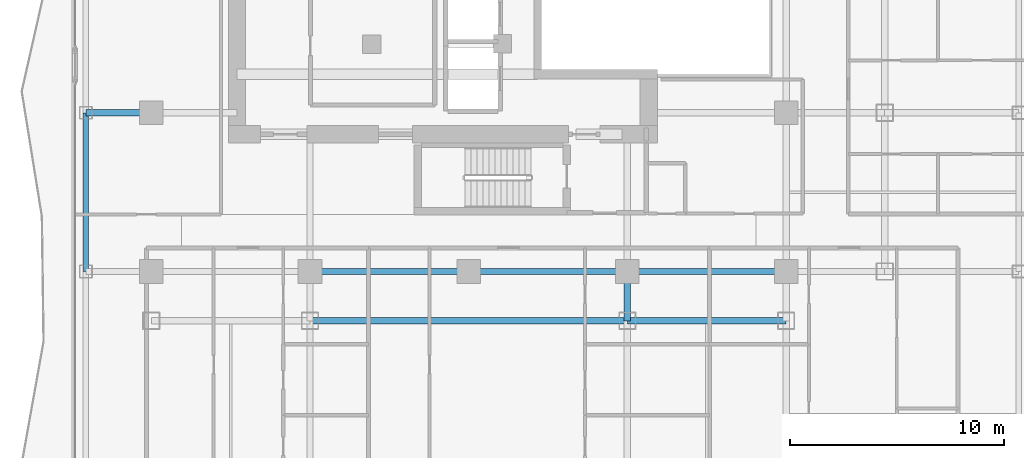
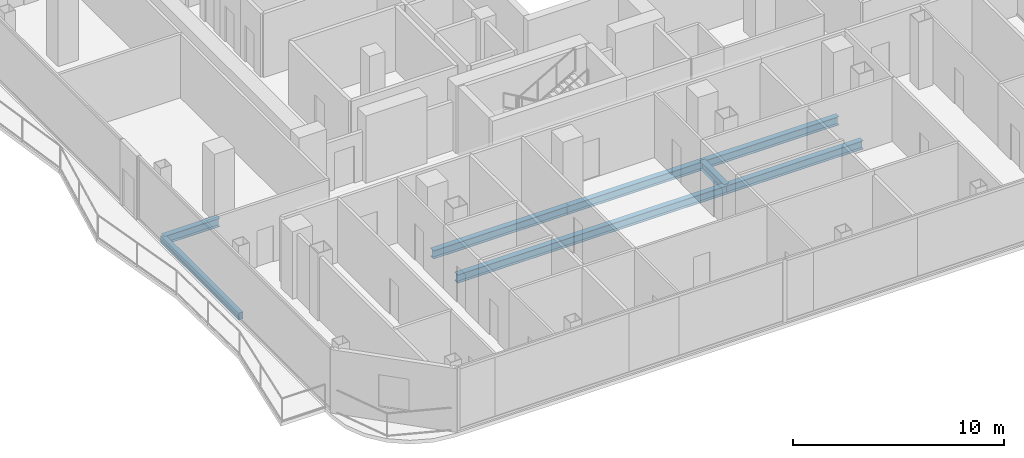
# One storey, part 5 of 27: 8 beams.
"""IFC4 building model written with IfcOpenShell, lengths in metres."""

from ifc_helpers import new_model, si_unit, direction, frame, origin, origin_2d, place, context, subcontext, project, spatial, hollow_rectangle, i_section, extrude, material, material_profile, profile_set, type_object, element, save


model = new_model("IFC4")

# Units and contexts
model_context = context("Model", 3, precision=1e-05, world=origin(), true_north=direction((0.0, 1.0)))
body_context = subcontext(model_context, "Body", "Model", "MODEL_VIEW")
ifc_project = project(units=[si_unit("LENGTHUNIT", "METRE"), si_unit("AREAUNIT", "SQUARE_METRE"), si_unit("VOLUMEUNIT", "CUBIC_METRE"), si_unit("PLANEANGLEUNIT", "RADIAN"), si_unit("MASSUNIT", "GRAM", prefix="KILO")], contexts=[model_context])

# Site, building, storey
site_placement = place(None, origin())
site = spatial("IfcSite", under=ifc_project, at=site_placement, CompositionType="ELEMENT")
building_placement = place(site_placement, origin())
building = spatial("IfcBuilding", under=site, at=building_placement, Name="Khorvyn Point Tower", CompositionType="ELEMENT")
storey_placement = place(building_placement, frame((0.0, 0.0, 227.39990234375)))
storey = spatial("IfcBuildingStorey", under=building, at=storey_placement, Name="L56", CompositionType="ELEMENT", Elevation=227.39990234375)

# Beams
ifc_material = material(Name="Steel S355", Category="steel")
ifc_material_profile_1 = material_profile(ifc_material, i_section(OverallWidth=0.300048828125, OverallDepth=0.488037109375, WebThickness=0.010986328125, FlangeThickness=0.01806640625, at=origin_2d()))
ifc_profile_set_1 = profile_set([ifc_material_profile_1], Name="Steel S355 H488x300x11x18")
beam_type_1 = type_object("IfcBeamType", Name="Steel S355 Spandrel H488x300x11x18", PredefinedType="SPANDREL", material=ifc_profile_set_1)
for number, where, z_axis, x_axis, name in (
    (1, (-7.39990234375, -14.800048828125, -0.4638671875), (1.0, 0.0, 0.0), (0.0, 1.0, 0.0), "Beam"),
    (2, (0.0, -14.800048828125, -0.4638671875), (1.0, 0.0, 0.0), (0.0, 1.0, 0.0), "Beam"),
):
    element("IfcBeam", number, at=place(storey_placement, frame(where, z_axis=z_axis, x_axis=x_axis)), inside=storey, type_object=beam_type_1, Name=name, PredefinedType="SPANDREL", context=body_context, shape_type="SweptSolid", body=[
        extrude(i_section(OverallWidth=0.300048828125, OverallDepth=0.488037109375, WebThickness=0.010986328125, FlangeThickness=0.01806640625, at=origin_2d()), origin(), (0.0, 0.0, 1.0), 7.39990234375),
    ])
beam_1_placement = place(storey_placement, frame((7.39990234375, -14.800048828125, -0.4638671875), z_axis=(1.0, 0.0, 0.0), x_axis=(0.0, 1.0, 0.0)))
element("IfcBeam", 3, at=beam_1_placement, inside=storey, type_object=beam_type_1, Name="Beam", PredefinedType="SPANDREL", context=body_context, shape_type="SweptSolid", body=[
    extrude(i_section(OverallWidth=0.300048828125, OverallDepth=0.488037109375, WebThickness=0.010986328125, FlangeThickness=0.01806640625, at=origin_2d()), origin(), (0.0, 0.0, 1.0), 7.400146484375),
])
beam_2_placement = place(storey_placement, frame((-17.85009765625, -7.39990234375, -0.4638671875), z_axis=(1.0, 0.0, 0.0), x_axis=(0.0, 1.0, 0.0)))
element("IfcBeam", 4, at=beam_2_placement, inside=storey, type_object=beam_type_1, Name="Beam", PredefinedType="SPANDREL", context=body_context, shape_type="SweptSolid", body=[
    extrude(i_section(OverallWidth=0.300048828125, OverallDepth=0.488037109375, WebThickness=0.010986328125, FlangeThickness=0.01806640625, at=origin_2d()), origin(), (0.0, 0.0, 1.0), 3.050048828125),
])
beam_3_placement = place(storey_placement, frame((-7.39990234375, -17.10009765625, -0.4638671875), z_axis=(1.0, 0.0, 0.0), x_axis=(0.0, 1.0, 0.0)))
element("IfcBeam", 5, at=beam_3_placement, inside=storey, type_object=beam_type_1, Name="Beam", PredefinedType="SPANDREL", context=body_context, shape_type="SweptSolid", body=[
    extrude(i_section(OverallWidth=0.300048828125, OverallDepth=0.488037109375, WebThickness=0.010986328125, FlangeThickness=0.01806640625, at=origin_2d()), origin(), (0.0, 0.0, 1.0), 14.7998046875),
])
beam_4_placement = place(storey_placement, frame((7.39990234375, -17.10009765625, -0.4638671875), z_axis=(1.0, 0.0, 0.0), x_axis=(0.0, 1.0, 0.0)))
element("IfcBeam", 6, at=beam_4_placement, inside=storey, type_object=beam_type_1, Name="Beam", PredefinedType="SPANDREL", context=body_context, shape_type="SweptSolid", body=[
    extrude(i_section(OverallWidth=0.300048828125, OverallDepth=0.488037109375, WebThickness=0.010986328125, FlangeThickness=0.01806640625, at=origin_2d()), origin(), (0.0, 0.0, 1.0), 7.400146484375),
])
beam_5_placement = place(storey_placement, frame((7.39990234375, -17.10009765625, -0.4638671875), z_axis=(0.0, 1.0, 0.0), x_axis=(-1.0, 0.0, 0.0)))
element("IfcBeam", 7, at=beam_5_placement, inside=storey, type_object=beam_type_1, Name="Beam", PredefinedType="SPANDREL", context=body_context, shape_type="SweptSolid", body=[
    extrude(i_section(OverallWidth=0.300048828125, OverallDepth=0.488037109375, WebThickness=0.010986328125, FlangeThickness=0.01806640625, at=origin_2d()), origin(), (0.0, 0.0, 1.0), 2.300048828125),
])
ifc_material_profile_2 = material_profile(ifc_material, hollow_rectangle(XDim=0.25, YDim=0.39990234375, WallThickness=0.01611328125, at=origin_2d()))
ifc_profile_set_2 = profile_set([ifc_material_profile_2], Name="Steel S355 RHS400x250x16")
beam_type_2 = type_object("IfcBeamType", Name="Steel S355 Spandrel RHS400x250x16", PredefinedType="SPANDREL", material=ifc_profile_set_2)
beam_6_placement = place(storey_placement, frame((-17.85009765625, -14.800048828125, -0.419921875), z_axis=(0.0, 1.0, 0.0), x_axis=(-1.0, 0.0, 0.0)))
element("IfcBeam", 8, at=beam_6_placement, inside=storey, type_object=beam_type_2, Name="Beam", PredefinedType="SPANDREL", context=body_context, shape_type="SweptSolid", body=[
    extrude(hollow_rectangle(XDim=0.25, YDim=0.39990234375, WallThickness=0.01611328125, at=origin_2d()), origin(), (0.0, 0.0, 1.0), 7.400146484375),
])

save(model, "model.ifc")
